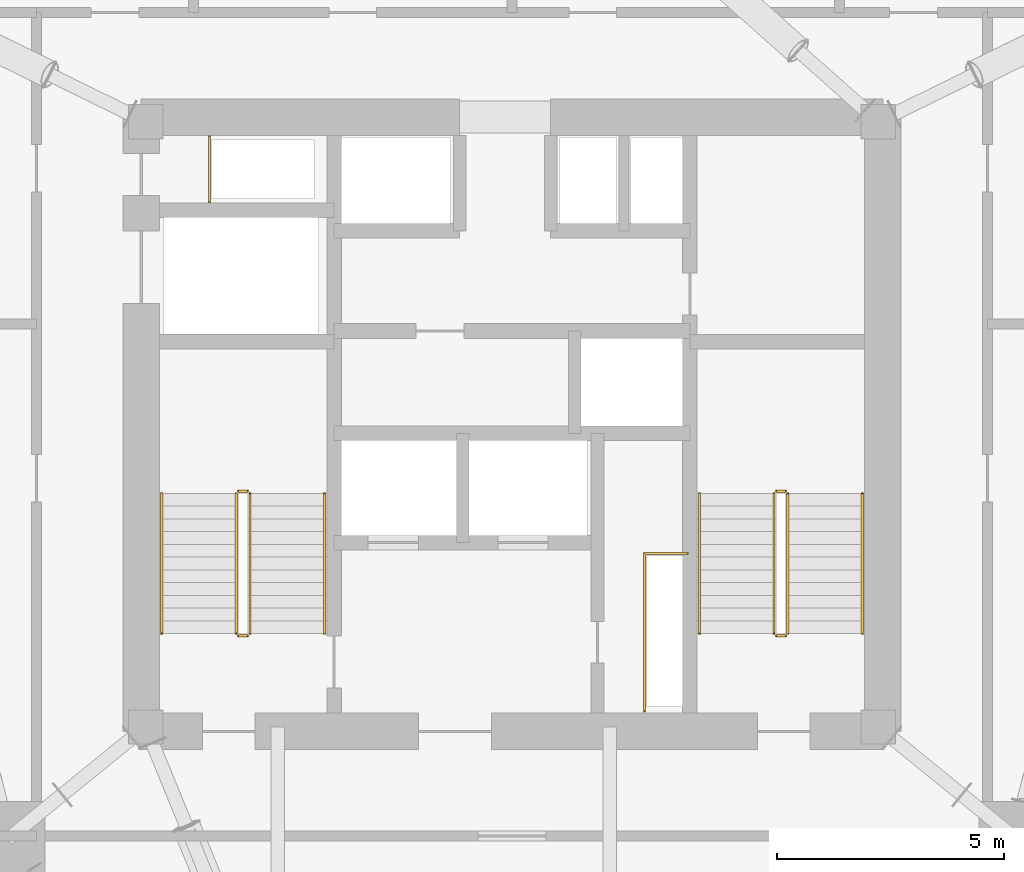
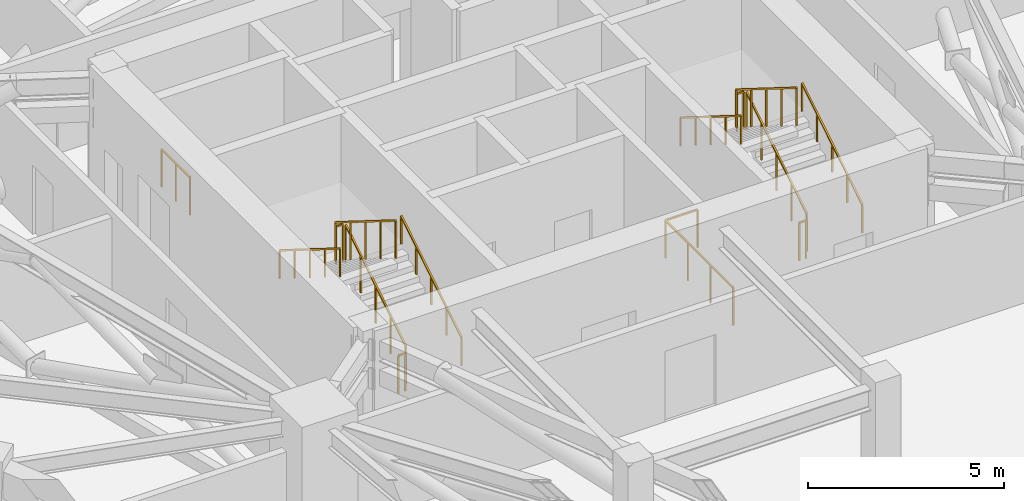
# One storey, part 15 of 15: 14 railings.
"""IFC4 building model written with IfcOpenShell, lengths in metres."""

from ifc_helpers import new_model, si_unit, direction, frame, origin, origin_2d, place, context, subcontext, project, spatial, rectangle, extrude, material, type_object, element, save


model = new_model("IFC4")

# Units and contexts
model_context = context("Model", 3, precision=1e-05, world=origin(), true_north=direction((0.0, 1.0)))
body_context = subcontext(model_context, "Body", "Model", "MODEL_VIEW")
ifc_project = project(units=[si_unit("LENGTHUNIT", "METRE"), si_unit("AREAUNIT", "SQUARE_METRE"), si_unit("VOLUMEUNIT", "CUBIC_METRE"), si_unit("PLANEANGLEUNIT", "RADIAN"), si_unit("MASSUNIT", "GRAM", prefix="KILO")], contexts=[model_context])

# Site, building, storey
site_placement = place(None, origin())
site = spatial("IfcSite", under=ifc_project, at=site_placement, CompositionType="ELEMENT")
building_placement = place(site_placement, origin())
building = spatial("IfcBuilding", under=site, at=building_placement, Name="Talyreon Biosciences Tower", CompositionType="ELEMENT")
storey_placement = place(building_placement, frame((0.0, 0.0, 118.800048828125)))
storey = spatial("IfcBuildingStorey", under=building, at=storey_placement, Name="L31", CompositionType="ELEMENT", Elevation=118.800048828125)

# Railings
ifc_material_1 = material(Name="Brushed stainless-steel tubular handrail", Category="steel")
railing_type_1 = type_object("IfcRailingType", Name="StairWallHandrail_900", PredefinedType="HANDRAIL", material=ifc_material_1)
railing_1_placement = place(storey_placement, frame((61.8798828125, 63.39990234375, 0.175048828125)))
element("IfcRailing", 1, at=railing_1_placement, inside=storey, type_object=railing_type_1, Name="L31 ST-1 stair handrail 1", PredefinedType="HANDRAIL", context=body_context, shape_type="SweptSolid", body=[
    extrude(rectangle(XDim=0.048095703125, YDim=0.048095703125, at=origin_2d()), frame((0.0, 0.0, 0.8759765625), z_axis=(0.0, 0.848028513186, 0.529950602248), x_axis=(-1.0, 0.0, 0.0)), (0.0, 0.0, 1.0), 3.632080078125),
    extrude(rectangle(XDim=0.0419921875, YDim=0.0419921875, at=origin_2d()), origin(), (0.0, 0.0, 1.0), 0.851806640625),
    extrude(rectangle(XDim=0.0419921875, YDim=0.0419921875, at=origin_2d()), frame((0.0, 0.77001953125, 0.481201171875)), (0.0, 0.0, 1.0), 0.851806640625),
    extrude(rectangle(XDim=0.0419921875, YDim=0.0419921875, at=origin_2d()), frame((0.0, 1.5400390625, 0.96240234375)), (0.0, 0.0, 1.0), 0.851806640625),
    extrude(rectangle(XDim=0.0419921875, YDim=0.0419921875, at=origin_2d()), frame((0.0, 2.31005859375, 1.443603515625)), (0.0, 0.0, 1.0), 0.851806640625),
    extrude(rectangle(XDim=0.0419921875, YDim=0.0419921875, at=origin_2d()), frame((0.0, 3.080078125, 1.9248046875)), (0.0, 0.0, 1.0), 0.851806640625),
])
railing_2_placement = place(storey_placement, frame((58.300048828125, 66.47998046875, 2.27490234375)))
element("IfcRailing", 2, at=railing_2_placement, inside=storey, type_object=railing_type_1, Name="L31 ST-1 stair handrail 2", PredefinedType="HANDRAIL", context=body_context, shape_type="SweptSolid", body=[
    extrude(rectangle(XDim=0.048095703125, YDim=0.048095703125, at=origin_2d()), frame((0.0, 0.0, 0.8759765625), z_axis=(0.0, -0.847998304005, 0.529998940003), x_axis=(1.0, 0.0, 0.0)), (0.0, 0.0, 1.0), 3.632080078125),
    extrude(rectangle(XDim=0.0419921875, YDim=0.0419921875, at=origin_2d()), origin(), (0.0, 0.0, 1.0), 0.851806640625),
    extrude(rectangle(XDim=0.0419921875, YDim=0.0419921875, at=origin_2d()), frame((0.0, -0.77001953125, 0.481201171875)), (0.0, 0.0, 1.0), 0.851806640625),
    extrude(rectangle(XDim=0.0419921875, YDim=0.0419921875, at=origin_2d()), frame((0.0, -1.5400390625, 0.96240234375)), (0.0, 0.0, 1.0), 0.851806640625),
    extrude(rectangle(XDim=0.0419921875, YDim=0.0419921875, at=origin_2d()), frame((0.0, -2.31005859375, 1.44384765625)), (0.0, 0.0, 1.0), 0.851806640625),
    extrude(rectangle(XDim=0.0419921875, YDim=0.0419921875, at=origin_2d()), frame((0.0, -3.080078125, 1.925048828125)), (0.0, 0.0, 1.0), 0.851806640625),
])
railing_3_placement = place(storey_placement, frame((73.699951171875, 63.39990234375, 0.175048828125)))
element("IfcRailing", 3, at=railing_3_placement, inside=storey, type_object=railing_type_1, Name="L31 ST-2 stair handrail 1", PredefinedType="HANDRAIL", context=body_context, shape_type="SweptSolid", body=[
    extrude(rectangle(XDim=0.048095703125, YDim=0.048095703125, at=origin_2d()), frame((0.0, 0.0, 0.8759765625), z_axis=(0.0, 0.848028513186, 0.529950602248), x_axis=(-1.0, 0.0, 0.0)), (0.0, 0.0, 1.0), 3.632080078125),
    extrude(rectangle(XDim=0.0419921875, YDim=0.0419921875, at=origin_2d()), origin(), (0.0, 0.0, 1.0), 0.851806640625),
    extrude(rectangle(XDim=0.0419921875, YDim=0.0419921875, at=origin_2d()), frame((0.0, 0.77001953125, 0.481201171875)), (0.0, 0.0, 1.0), 0.851806640625),
    extrude(rectangle(XDim=0.0419921875, YDim=0.0419921875, at=origin_2d()), frame((0.0, 1.5400390625, 0.96240234375)), (0.0, 0.0, 1.0), 0.851806640625),
    extrude(rectangle(XDim=0.0419921875, YDim=0.0419921875, at=origin_2d()), frame((0.0, 2.31005859375, 1.443603515625)), (0.0, 0.0, 1.0), 0.851806640625),
    extrude(rectangle(XDim=0.0419921875, YDim=0.0419921875, at=origin_2d()), frame((0.0, 3.080078125, 1.9248046875)), (0.0, 0.0, 1.0), 0.851806640625),
])
railing_4_placement = place(storey_placement, frame((70.1201171875, 66.47998046875, 2.27490234375)))
element("IfcRailing", 4, at=railing_4_placement, inside=storey, type_object=railing_type_1, Name="L31 ST-2 stair handrail 2", PredefinedType="HANDRAIL", context=body_context, shape_type="SweptSolid", body=[
    extrude(rectangle(XDim=0.048095703125, YDim=0.048095703125, at=origin_2d()), frame((0.0, 0.0, 0.8759765625), z_axis=(0.0, -0.847998304005, 0.529998940003), x_axis=(1.0, 0.0, 0.0)), (0.0, 0.0, 1.0), 3.632080078125),
    extrude(rectangle(XDim=0.0419921875, YDim=0.0419921875, at=origin_2d()), origin(), (0.0, 0.0, 1.0), 0.851806640625),
    extrude(rectangle(XDim=0.0419921875, YDim=0.0419921875, at=origin_2d()), frame((0.0, -0.77001953125, 0.481201171875)), (0.0, 0.0, 1.0), 0.851806640625),
    extrude(rectangle(XDim=0.0419921875, YDim=0.0419921875, at=origin_2d()), frame((0.0, -1.5400390625, 0.96240234375)), (0.0, 0.0, 1.0), 0.851806640625),
    extrude(rectangle(XDim=0.0419921875, YDim=0.0419921875, at=origin_2d()), frame((0.0, -2.31005859375, 1.44384765625)), (0.0, 0.0, 1.0), 0.851806640625),
    extrude(rectangle(XDim=0.0419921875, YDim=0.0419921875, at=origin_2d()), frame((0.0, -3.080078125, 1.925048828125)), (0.0, 0.0, 1.0), 0.851806640625),
])
ifc_material_2 = material(Name="Painted galvanised steel post-and-rail balustrade", Category="steel")
railing_type_2 = type_object("IfcRailingType", Name="TerraceStairGuard_1200", PredefinedType="GUARDRAIL", material=ifc_material_2)
railing_5_placement = place(storey_placement, frame((60.239990234375, 63.39990234375, 0.175048828125)))
element("IfcRailing", 5, at=railing_5_placement, inside=storey, type_object=railing_type_2, Name="L31 ST-1 stair guard 1", PredefinedType="GUARDRAIL", context=body_context, shape_type="SweptSolid", body=[
    extrude(rectangle(XDim=0.048095703125, YDim=0.048095703125, at=origin_2d()), frame((0.0, 0.0, 1.17578125), z_axis=(0.0, 0.848028513186, 0.529950602248), x_axis=(-1.0, 0.0, 0.0)), (0.0, 0.0, 1.0), 3.632080078125),
    extrude(rectangle(XDim=0.0419921875, YDim=0.0419921875, at=origin_2d()), origin(), (0.0, 0.0, 1.0), 1.15185546875),
    extrude(rectangle(XDim=0.0419921875, YDim=0.0419921875, at=origin_2d()), frame((0.0, 0.77001953125, 0.481201171875)), (0.0, 0.0, 1.0), 1.15185546875),
    extrude(rectangle(XDim=0.0419921875, YDim=0.0419921875, at=origin_2d()), frame((0.0, 1.5400390625, 0.96240234375)), (0.0, 0.0, 1.0), 1.15185546875),
    extrude(rectangle(XDim=0.0419921875, YDim=0.0419921875, at=origin_2d()), frame((0.0, 2.31005859375, 1.443603515625)), (0.0, 0.0, 1.0), 1.15185546875),
    extrude(rectangle(XDim=0.0419921875, YDim=0.0419921875, at=origin_2d()), frame((0.0, 3.080078125, 1.9248046875)), (0.0, 0.0, 1.0), 1.15185546875),
])
railing_6_placement = place(storey_placement, frame((60.18994140625, 66.530029296875, 2.099853515625)))
element("IfcRailing", 6, at=railing_6_placement, inside=storey, type_object=railing_type_2, Name="L31 ST-1 stair guard 2", PredefinedType="GUARDRAIL", context=body_context, shape_type="SweptSolid", body=[
    extrude(rectangle(XDim=0.048095703125, YDim=0.048095703125, at=origin_2d()), frame((0.0, 0.0, 1.17578125), z_axis=(-1.0, 0.0, 0.0), x_axis=(0.0, -1.0, 0.0)), (0.0, 0.0, 1.0), 0.199951171875),
    extrude(rectangle(XDim=0.0419921875, YDim=0.0419921875, at=origin_2d()), origin(), (0.0, 0.0, 1.0), 1.15185546875),
    extrude(rectangle(XDim=0.0419921875, YDim=0.0419921875, at=origin_2d()), frame((-0.199951171875, 0.0, 0.0)), (0.0, 0.0, 1.0), 1.15185546875),
])
railing_7_placement = place(storey_placement, frame((59.93994140625, 66.47998046875, 2.27490234375)))
element("IfcRailing", 7, at=railing_7_placement, inside=storey, type_object=railing_type_2, Name="L31 ST-1 stair guard 3", PredefinedType="GUARDRAIL", context=body_context, shape_type="SweptSolid", body=[
    extrude(rectangle(XDim=0.048095703125, YDim=0.048095703125, at=origin_2d()), frame((0.0, 0.0, 1.17578125), z_axis=(0.0, -0.847998304005, 0.529998940003), x_axis=(1.0, 0.0, 0.0)), (0.0, 0.0, 1.0), 3.632080078125),
    extrude(rectangle(XDim=0.0419921875, YDim=0.0419921875, at=origin_2d()), origin(), (0.0, 0.0, 1.0), 1.15185546875),
    extrude(rectangle(XDim=0.0419921875, YDim=0.0419921875, at=origin_2d()), frame((0.0, -0.77001953125, 0.481201171875)), (0.0, 0.0, 1.0), 1.15185546875),
    extrude(rectangle(XDim=0.0419921875, YDim=0.0419921875, at=origin_2d()), frame((0.0, -1.5400390625, 0.96240234375)), (0.0, 0.0, 1.0), 1.15185546875),
    extrude(rectangle(XDim=0.0419921875, YDim=0.0419921875, at=origin_2d()), frame((0.0, -2.31005859375, 1.44384765625)), (0.0, 0.0, 1.0), 1.15185546875),
    extrude(rectangle(XDim=0.0419921875, YDim=0.0419921875, at=origin_2d()), frame((0.0, -3.080078125, 1.925048828125)), (0.0, 0.0, 1.0), 1.15185546875),
])
railing_8_placement = place(storey_placement, frame((60.18994140625, 63.35009765625, 0.0)))
element("IfcRailing", 8, at=railing_8_placement, inside=storey, type_object=railing_type_2, Name="L31 ST-1 stair guard 4", PredefinedType="GUARDRAIL", context=body_context, shape_type="SweptSolid", body=[
    extrude(rectangle(XDim=0.048095703125, YDim=0.048095703125, at=origin_2d()), frame((0.0, 0.0, 1.17578125), z_axis=(-1.0, 0.0, 0.0), x_axis=(0.0, -1.0, 0.0)), (0.0, 0.0, 1.0), 0.199951171875),
    extrude(rectangle(XDim=0.0419921875, YDim=0.0419921875, at=origin_2d()), origin(), (0.0, 0.0, 1.0), 1.15185546875),
    extrude(rectangle(XDim=0.0419921875, YDim=0.0419921875, at=origin_2d()), frame((-0.199951171875, 0.0, 0.0)), (0.0, 0.0, 1.0), 1.15185546875),
])
railing_9_placement = place(storey_placement, frame((72.06005859375, 63.39990234375, 0.175048828125)))
element("IfcRailing", 9, at=railing_9_placement, inside=storey, type_object=railing_type_2, Name="L31 ST-2 stair guard 1", PredefinedType="GUARDRAIL", context=body_context, shape_type="SweptSolid", body=[
    extrude(rectangle(XDim=0.048095703125, YDim=0.048095703125, at=origin_2d()), frame((0.0, 0.0, 1.17578125), z_axis=(0.0, 0.848028513186, 0.529950602248), x_axis=(-1.0, 0.0, 0.0)), (0.0, 0.0, 1.0), 3.632080078125),
    extrude(rectangle(XDim=0.0419921875, YDim=0.0419921875, at=origin_2d()), origin(), (0.0, 0.0, 1.0), 1.15185546875),
    extrude(rectangle(XDim=0.0419921875, YDim=0.0419921875, at=origin_2d()), frame((0.0, 0.77001953125, 0.481201171875)), (0.0, 0.0, 1.0), 1.15185546875),
    extrude(rectangle(XDim=0.0419921875, YDim=0.0419921875, at=origin_2d()), frame((0.0, 1.5400390625, 0.96240234375)), (0.0, 0.0, 1.0), 1.15185546875),
    extrude(rectangle(XDim=0.0419921875, YDim=0.0419921875, at=origin_2d()), frame((0.0, 2.31005859375, 1.443603515625)), (0.0, 0.0, 1.0), 1.15185546875),
    extrude(rectangle(XDim=0.0419921875, YDim=0.0419921875, at=origin_2d()), frame((0.0, 3.080078125, 1.9248046875)), (0.0, 0.0, 1.0), 1.15185546875),
])
railing_10_placement = place(storey_placement, frame((72.010009765625, 66.530029296875, 2.099853515625)))
element("IfcRailing", 10, at=railing_10_placement, inside=storey, type_object=railing_type_2, Name="L31 ST-2 stair guard 2", PredefinedType="GUARDRAIL", context=body_context, shape_type="SweptSolid", body=[
    extrude(rectangle(XDim=0.048095703125, YDim=0.048095703125, at=origin_2d()), frame((0.0, 0.0, 1.17578125), z_axis=(-1.0, 0.0, 0.0), x_axis=(0.0, -1.0, 0.0)), (0.0, 0.0, 1.0), 0.199951171875),
    extrude(rectangle(XDim=0.0419921875, YDim=0.0419921875, at=origin_2d()), origin(), (0.0, 0.0, 1.0), 1.15185546875),
    extrude(rectangle(XDim=0.0419921875, YDim=0.0419921875, at=origin_2d()), frame((-0.199951171875, 0.0, 0.0)), (0.0, 0.0, 1.0), 1.15185546875),
])
railing_11_placement = place(storey_placement, frame((71.760009765625, 66.47998046875, 2.27490234375)))
element("IfcRailing", 11, at=railing_11_placement, inside=storey, type_object=railing_type_2, Name="L31 ST-2 stair guard 3", PredefinedType="GUARDRAIL", context=body_context, shape_type="SweptSolid", body=[
    extrude(rectangle(XDim=0.048095703125, YDim=0.048095703125, at=origin_2d()), frame((0.0, 0.0, 1.17578125), z_axis=(0.0, -0.847998304005, 0.529998940003), x_axis=(1.0, 0.0, 0.0)), (0.0, 0.0, 1.0), 3.632080078125),
    extrude(rectangle(XDim=0.0419921875, YDim=0.0419921875, at=origin_2d()), origin(), (0.0, 0.0, 1.0), 1.15185546875),
    extrude(rectangle(XDim=0.0419921875, YDim=0.0419921875, at=origin_2d()), frame((0.0, -0.77001953125, 0.481201171875)), (0.0, 0.0, 1.0), 1.15185546875),
    extrude(rectangle(XDim=0.0419921875, YDim=0.0419921875, at=origin_2d()), frame((0.0, -1.5400390625, 0.96240234375)), (0.0, 0.0, 1.0), 1.15185546875),
    extrude(rectangle(XDim=0.0419921875, YDim=0.0419921875, at=origin_2d()), frame((0.0, -2.31005859375, 1.44384765625)), (0.0, 0.0, 1.0), 1.15185546875),
    extrude(rectangle(XDim=0.0419921875, YDim=0.0419921875, at=origin_2d()), frame((0.0, -3.080078125, 1.925048828125)), (0.0, 0.0, 1.0), 1.15185546875),
])
railing_12_placement = place(storey_placement, frame((72.010009765625, 63.35009765625, 0.0)))
element("IfcRailing", 12, at=railing_12_placement, inside=storey, type_object=railing_type_2, Name="L31 ST-2 stair guard 4", PredefinedType="GUARDRAIL", context=body_context, shape_type="SweptSolid", body=[
    extrude(rectangle(XDim=0.048095703125, YDim=0.048095703125, at=origin_2d()), frame((0.0, 0.0, 1.17578125), z_axis=(-1.0, 0.0, 0.0), x_axis=(0.0, -1.0, 0.0)), (0.0, 0.0, 1.0), 0.199951171875),
    extrude(rectangle(XDim=0.0419921875, YDim=0.0419921875, at=origin_2d()), origin(), (0.0, 0.0, 1.0), 1.15185546875),
    extrude(rectangle(XDim=0.0419921875, YDim=0.0419921875, at=origin_2d()), frame((-0.199951171875, 0.0, 0.0)), (0.0, 0.0, 1.0), 1.15185546875),
])
railing_13_placement = place(storey_placement, frame((59.35009765625, 72.8798828125, 0.0)))
element("IfcRailing", 13, at=railing_13_placement, inside=storey, type_object=railing_type_2, Name="L31 Exhaust Riser Maintenance Guardrail", PredefinedType="GUARDRAIL", context=body_context, shape_type="SweptSolid", body=[
    extrude(rectangle(XDim=0.048095703125, YDim=0.048095703125, at=origin_2d()), frame((0.0, 0.0, 1.17578125), z_axis=(0.0, 1.0, 0.0), x_axis=(-1.0, 0.0, 0.0)), (0.0, 0.0, 1.0), 1.4501953125),
    extrude(rectangle(XDim=0.0419921875, YDim=0.0419921875, at=origin_2d()), origin(), (0.0, 0.0, 1.0), 1.15185546875),
    extrude(rectangle(XDim=0.0419921875, YDim=0.0419921875, at=origin_2d()), frame((0.0, 0.72509765625, 0.0)), (0.0, 0.0, 1.0), 1.15185546875),
    extrude(rectangle(XDim=0.0419921875, YDim=0.0419921875, at=origin_2d()), frame((0.0, 1.4501953125, 0.0)), (0.0, 0.0, 1.0), 1.15185546875),
])
railing_14_placement = place(storey_placement, frame((68.909912109375, 61.699951171875, 0.0)))
element("IfcRailing", 14, at=railing_14_placement, inside=storey, type_object=railing_type_2, Name="L31 Electrical Riser Maintenance Guardrail", PredefinedType="GUARDRAIL", context=body_context, shape_type="SweptSolid", body=[
    extrude(rectangle(XDim=0.048095703125, YDim=0.048095703125, at=origin_2d()), frame((0.0, 0.0, 1.17578125), z_axis=(0.0, 1.0, 0.0), x_axis=(-1.0, 0.0, 0.0)), (0.0, 0.0, 1.0), 3.4599609375),
    extrude(rectangle(XDim=0.048095703125, YDim=0.048095703125, at=origin_2d()), frame((0.0, 3.4599609375, 1.17578125), z_axis=(1.0, 0.0, 0.0), x_axis=(0.0, 1.0, 0.0)), (0.0, 0.0, 1.0), 0.9501953125),
    extrude(rectangle(XDim=0.0419921875, YDim=0.0419921875, at=origin_2d()), origin(), (0.0, 0.0, 1.0), 1.15185546875),
    extrude(rectangle(XDim=0.0419921875, YDim=0.0419921875, at=origin_2d()), frame((0.0, 1.1533203125, 0.0)), (0.0, 0.0, 1.0), 1.15185546875),
    extrude(rectangle(XDim=0.0419921875, YDim=0.0419921875, at=origin_2d()), frame((0.0, 2.306640625, 0.0)), (0.0, 0.0, 1.0), 1.15185546875),
    extrude(rectangle(XDim=0.0419921875, YDim=0.0419921875, at=origin_2d()), frame((0.0, 3.4599609375, 0.0)), (0.0, 0.0, 1.0), 1.15185546875),
    extrude(rectangle(XDim=0.0419921875, YDim=0.0419921875, at=origin_2d()), frame((0.9501953125, 3.4599609375, 0.0)), (0.0, 0.0, 1.0), 1.15185546875),
])

save(model, "model.ifc")
